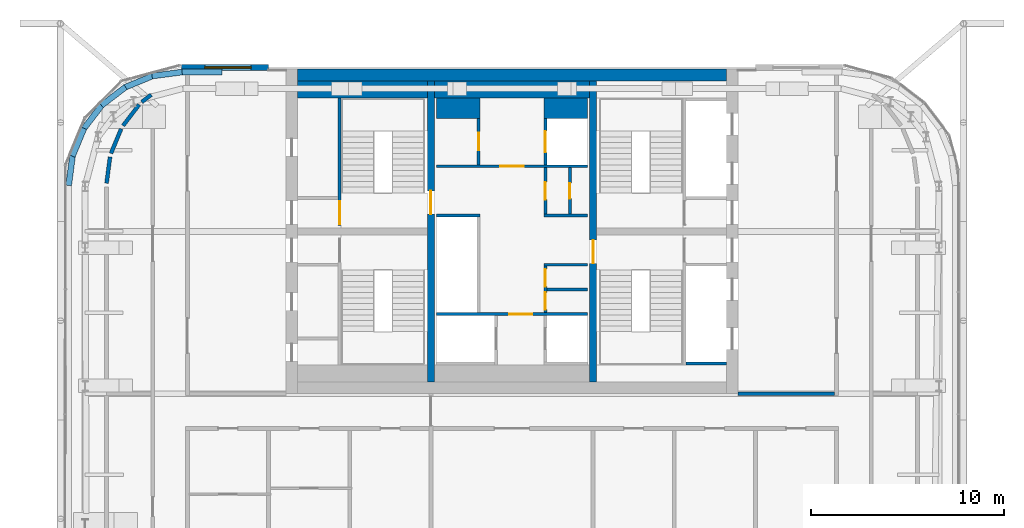
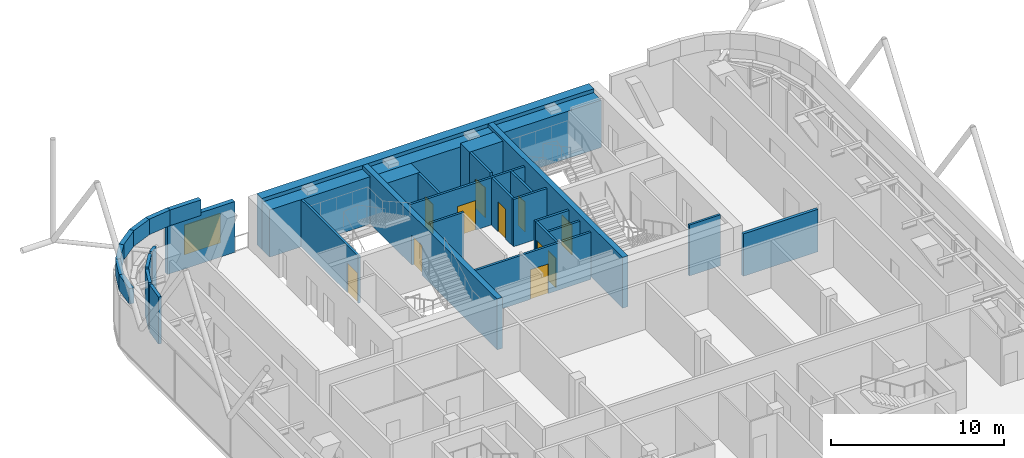
# One storey, part 22 of 25: 32 walls, 11 doors, 1 window, 12 openings.
"""IFC4 building model written with IfcOpenShell, lengths in metres."""

from ifc_helpers import new_model, si_unit, direction, frame, frame_2d, origin, place, context, subcontext, project, spatial, rectangle, extrude, material, layer, layer_set, type_object, element, fill, save


model = new_model("IFC4")

# Units and contexts
model_context = context("Model", 3, precision=1e-05, world=origin(), true_north=direction((0.0, 1.0)))
body_context = subcontext(model_context, "Body", "Model", "MODEL_VIEW")
ifc_project = project(units=[si_unit("LENGTHUNIT", "METRE"), si_unit("AREAUNIT", "SQUARE_METRE"), si_unit("VOLUMEUNIT", "CUBIC_METRE"), si_unit("PLANEANGLEUNIT", "RADIAN"), si_unit("MASSUNIT", "GRAM", prefix="KILO")], contexts=[model_context])

# Site, building, storey
site_placement = place(None, origin())
site = spatial("IfcSite", under=ifc_project, at=site_placement, CompositionType="ELEMENT")
building_placement = place(site_placement, origin())
building = spatial("IfcBuilding", under=site, at=building_placement, Name="Marenta Gate Hotel Tower", CompositionType="ELEMENT")
storey_placement = place(building_placement, frame((0.0, 0.0, 277.699951171875)))
storey = spatial("IfcBuildingStorey", under=building, at=storey_placement, Name="L64", CompositionType="ELEMENT", Elevation=277.699951171875)

# Wall, opening, window
ifc_material_1 = material(Name="Concrete C40 board-marked", Category="concrete")
ifc_layer_1 = layer(ifc_material_1, 0.300048828125)
ifc_layer_set_1 = layer_set([ifc_layer_1], Name="Concrete C40 board-marked")
wall_type_1 = type_object("IfcWallType", Name="Board-marked concrete wall 300 mm", PredefinedType="NOTDEFINED", material=ifc_layer_set_1)
wall_1_placement = place(storey_placement, frame((-12.60009765625, 16.889892578125, 0.0), z_axis=(0.0, 0.0, 1.0), x_axis=(-1.0, 0.0, 0.0)))
wall_1 = element("IfcWall", 1, at=wall_1_placement, inside=storey, type_object=wall_type_1, Name="L64-CLD-N01", PredefinedType="NOTDEFINED", context=body_context, shape_type="SweptSolid", body=[
    extrude(rectangle(XDim=4.505859375, YDim=0.300048828125, at=frame_2d((2.2529296875, 0.0))), origin(), (0.0, 0.0, 1.0), 3.60009765625),
])
opening_1_placement = place(wall_1_placement, frame((0.89990234375, 0.0, 0.89990234375)))
opening_1 = element("IfcOpeningElement", 2, at=opening_1_placement, cuts=wall_1, Name="Opening W1", PredefinedType="OPENING", context=body_context, shape_type="SweptSolid", body=[
    extrude(rectangle(XDim=2.39990234375, YDim=2.10009765625, at=frame_2d((1.199951171875, 1.050048828125))), frame((0.0, 0.14990234375, 0.0), z_axis=(0.0, -1.0, 0.0), x_axis=(1.0, 0.0, 0.0)), (0.0, 0.0, 1.0), 0.300048828125),
])
ifc_material_2 = material(Name="Tinted insulated glass in bronze anodised frame", Category="glass")
window_type = type_object("IfcWindowType", Name="Window W1 2400x2100 bronze frame", PartitioningType="SINGLE_PANEL", PredefinedType="WINDOW", material=ifc_material_2)
window_placement = place(opening_1_placement, origin())
window = element("IfcWindow", 3, at=window_placement, inside=storey, type_object=window_type, Name="Window W1", OverallHeight=2.10009765625, OverallWidth=2.39990234375, PartitioningType="SINGLE_PANEL", PredefinedType="WINDOW", context=body_context, shape_type="SweptSolid", body=[
    extrude(rectangle(XDim=2.39990234375, YDim=2.10009765625, at=frame_2d((1.199951171875, 1.050048828125))), frame((0.0, 0.030029296875, 0.0), z_axis=(0.0, -1.0, 0.0), x_axis=(1.0, 0.0, 0.0)), (0.0, 0.0, 1.0), 0.06005859375),
])
fill(opening_1, window)

# Walls
ifc_material_3 = material(Name="Concrete blockwork", Category="masonry")
ifc_layer_2 = layer(ifc_material_3, 0.199951171875)
ifc_layer_set_2 = layer_set([ifc_layer_2], Name="Concrete blockwork")
wall_type_2 = type_object("IfcWallType", Name="Core boundary wall 200 REI 180", PredefinedType="PARTITIONING", material=ifc_layer_set_2)
wall_2_placement = place(storey_placement, frame((11.699951171875, 0.0, 0.0), z_axis=(0.0, 0.0, 1.0), x_axis=(1.0, 0.0, 0.0)))
element("IfcWall", 4, at=wall_2_placement, inside=storey, type_object=wall_type_2, Name="L64-CP-EW-ES", PredefinedType="PARTITIONING", context=body_context, shape_type="SweptSolid", body=[
    extrude(rectangle(XDim=5.0, YDim=0.199951171875, at=frame_2d((2.5, 0.0))), origin(), (0.0, 0.0, 1.0), 3.0),
])
ifc_material_4 = material(Name="Concrete C40", Category="concrete")
ifc_layer_3 = layer(ifc_material_4, 0.89990234375)
ifc_layer_set_3 = layer_set([ifc_layer_3], Name="Concrete C40")
wall_type_3 = type_object("IfcWallType", Name="Core lining wall 900 REI 180", PredefinedType="PARTITIONING", material=ifc_layer_set_3)
wall_3_placement = place(storey_placement, frame((-11.10009765625, 15.75, 0.0), z_axis=(0.0, 0.0, 1.0), x_axis=(1.0, 0.0, 0.0)))
element("IfcWall", 5, at=wall_3_placement, inside=storey, type_object=wall_type_3, Name="L64-CP-LN-N", PredefinedType="PARTITIONING", context=body_context, shape_type="SweptSolid", body=[
    extrude(rectangle(XDim=22.2001953125, YDim=0.89990234375, at=frame_2d((11.10009765625, 0.0))), origin(), (0.0, 0.0, 1.0), 3.340087890625),
])

# Wall, opening, door
ifc_material_5 = material(Name="Concrete blockwork", Category="masonry")
ifc_layer_4 = layer(ifc_material_5, 0.14990234375)
ifc_layer_set_4 = layer_set([ifc_layer_4], Name="Concrete blockwork")
wall_type_4 = type_object("IfcWallType", Name="Core lobby partition 150 REI 180", PredefinedType="PARTITIONING", material=ifc_layer_set_4)
wall_4_placement = place(storey_placement, frame((-3.89990234375, 4.125, 0.0), z_axis=(0.0, 0.0, 1.0), x_axis=(1.0, 0.0, 0.0)))
wall_4 = element("IfcWall", 6, at=wall_4_placement, inside=storey, type_object=wall_type_4, Name="L64-CP-CW-S", PredefinedType="PARTITIONING", context=body_context, shape_type="SweptSolid", body=[
    extrude(rectangle(XDim=7.7998046875, YDim=0.14990234375, at=frame_2d((3.89990234375, 0.0))), origin(), (0.0, 0.0, 1.0), 3.340087890625),
])
opening_2_placement = place(wall_4_placement, frame((3.75, 0.0, 0.0)))
opening_2 = element("IfcOpeningElement", 7, at=opening_2_placement, cuts=wall_4, Name="Opening FD-FFS", PredefinedType="OPENING", context=body_context, shape_type="SweptSolid", body=[
    extrude(rectangle(XDim=1.199951171875, YDim=2.10009765625, at=frame_2d((0.60009765625, 1.050048828125))), frame((0.0, 0.074951171875, 0.0), z_axis=(0.0, -1.0, 0.0), x_axis=(1.0, 0.0, 0.0)), (0.0, 0.0, 1.0), 0.14990234375),
])
ifc_material_6 = material(Name="Steel", Category="steel")
door_type_1 = type_object("IfcDoorType", Name="Core lobby door 1200x2100 FD60", OperationType="SINGLE_SWING_LEFT", PredefinedType="DOOR", material=ifc_material_6)
door_1_placement = place(opening_2_placement, origin())
door_1 = element("IfcDoor", 8, at=door_1_placement, inside=storey, type_object=door_type_1, Name="FD-FFS", OperationType="SINGLE_SWING_LEFT", OverallHeight=2.10009765625, OverallWidth=1.199951171875, PredefinedType="DOOR", context=body_context, shape_type="SweptSolid", body=[
    extrude(rectangle(XDim=1.199951171875, YDim=2.10009765625, at=frame_2d((0.60009765625, 1.050048828125))), frame((0.0, 0.02490234375, 0.0), z_axis=(0.0, -1.0, 0.0), x_axis=(1.0, 0.0, 0.0)), (0.0, 0.0, 1.0), 0.050048828125),
])
fill(opening_2, door_1)

wall_5_placement = place(storey_placement, frame((-3.89990234375, 11.77490234375, 0.0), z_axis=(0.0, 0.0, 1.0), x_axis=(1.0, 0.0, 0.0)))
wall_5 = element("IfcWall", 9, at=wall_5_placement, inside=storey, type_object=wall_type_4, Name="L64-CP-CW-N", PredefinedType="PARTITIONING", context=body_context, shape_type="SweptSolid", body=[
    extrude(rectangle(XDim=7.7998046875, YDim=0.14990234375, at=frame_2d((3.89990234375, 0.0))), origin(), (0.0, 0.0, 1.0), 3.340087890625),
])
opening_3_placement = place(wall_5_placement, frame((3.300048828125, 0.0, 0.0)))
opening_3 = element("IfcOpeningElement", 10, at=opening_3_placement, cuts=wall_5, Name="Opening FD-FFN", PredefinedType="OPENING", context=body_context, shape_type="SweptSolid", body=[
    extrude(rectangle(XDim=1.199951171875, YDim=2.10009765625, at=frame_2d((0.60009765625, 1.050048828125))), frame((0.0, 0.074951171875, 0.0), z_axis=(0.0, -1.0, 0.0), x_axis=(1.0, 0.0, 0.0)), (0.0, 0.0, 1.0), 0.14990234375),
])
door_2_placement = place(opening_3_placement, origin())
door_2 = element("IfcDoor", 11, at=door_2_placement, inside=storey, type_object=door_type_1, Name="FD-FFN", OperationType="SINGLE_SWING_LEFT", OverallHeight=2.10009765625, OverallWidth=1.199951171875, PredefinedType="DOOR", context=body_context, shape_type="SweptSolid", body=[
    extrude(rectangle(XDim=1.199951171875, YDim=2.10009765625, at=frame_2d((0.60009765625, 1.050048828125))), frame((0.0, 0.02490234375, 0.0), z_axis=(0.0, -1.0, 0.0), x_axis=(1.0, 0.0, 0.0)), (0.0, 0.0, 1.0), 0.050048828125),
])
fill(opening_3, door_2)

# Wall
ifc_material_7 = material(Name="Concrete blockwork", Category="masonry")
ifc_layer_5 = layer(ifc_material_7, 1.050048828125)
ifc_layer_set_5 = layer_set([ifc_layer_5], Name="Concrete blockwork")
wall_type_5 = type_object("IfcWallType", Name="Core room partition 1050 REI 180", PredefinedType="PARTITIONING", material=ifc_layer_set_5)
wall_6_placement = place(storey_placement, frame((-3.89990234375, 14.77490234375, 0.0), z_axis=(0.0, 0.0, 1.0), x_axis=(1.0, 0.0, 0.0)))
element("IfcWall", 12, at=wall_6_placement, inside=storey, type_object=wall_type_5, Name="L64-CP-CW-W-riser-N", PredefinedType="PARTITIONING", context=body_context, shape_type="SweptSolid", body=[
    extrude(rectangle(XDim=2.25, YDim=1.050048828125, at=frame_2d((1.125, 0.0))), origin(), (0.0, 0.0, 1.0), 3.340087890625),
])

# Wall, opening, door
ifc_material_8 = material(Name="Concrete blockwork", Category="masonry")
ifc_layer_6 = layer(ifc_material_8, 0.14990234375)
ifc_layer_set_6 = layer_set([ifc_layer_6], Name="Concrete blockwork")
wall_type_6 = type_object("IfcWallType", Name="Core room partition 150 REI 180", PredefinedType="PARTITIONING", material=ifc_layer_set_6)
wall_7_placement = place(storey_placement, frame((-1.72509765625, 11.85009765625, 0.0), z_axis=(0.0, 0.0, 1.0), x_axis=(0.0, 1.0, 0.0)))
wall_7 = element("IfcWall", 13, at=wall_7_placement, inside=storey, type_object=wall_type_6, Name="L64-CP-CW-W-riser-front", PredefinedType="PARTITIONING", context=body_context, shape_type="SweptSolid", body=[
    extrude(rectangle(XDim=2.39990234375, YDim=0.14990234375, at=frame_2d((1.199951171875, 0.0))), origin(), (0.0, 0.0, 1.0), 3.340087890625),
])
opening_4_placement = place(wall_7_placement, frame((0.75, 0.0, 0.0)))
opening_4 = element("IfcOpeningElement", 14, at=opening_4_placement, cuts=wall_7, Name="Opening RD-CRISER", PredefinedType="OPENING", context=body_context, shape_type="SweptSolid", body=[
    extrude(rectangle(XDim=0.89990234375, YDim=2.10009765625, at=frame_2d((0.449951171875, 1.050048828125))), frame((0.0, 0.074951171875, 0.0), z_axis=(0.0, -1.0, 0.0), x_axis=(1.0, 0.0, 0.0)), (0.0, 0.0, 1.0), 0.14990234375),
])
ifc_material_9 = material(Name="Steel", Category="steel")
door_type_2 = type_object("IfcDoorType", Name="Core riser door 900x2100 FD60", OperationType="SINGLE_SWING_LEFT", PredefinedType="DOOR", material=ifc_material_9)
door_3_placement = place(opening_4_placement, origin())
door_3 = element("IfcDoor", 15, at=door_3_placement, inside=storey, type_object=door_type_2, Name="RD-CRISER", OperationType="SINGLE_SWING_LEFT", OverallHeight=2.10009765625, OverallWidth=0.89990234375, PredefinedType="DOOR", context=body_context, shape_type="SweptSolid", body=[
    extrude(rectangle(XDim=0.89990234375, YDim=2.10009765625, at=frame_2d((0.449951171875, 1.050048828125))), frame((0.0, 0.02490234375, 0.0), z_axis=(0.0, -1.0, 0.0), x_axis=(1.0, 0.0, 0.0)), (0.0, 0.0, 1.0), 0.050048828125),
])
fill(opening_4, door_3)

# Walls
for number, where, z_axis, x_axis, name in (
    (16, (1.64990234375, 6.675048828125, 0.0), (0.0, 0.0, 1.0), (1.0, 0.0, 0.0), "L64-CP-CE-sep1"),
    (17, (1.64990234375, 9.22509765625, 0.0), (0.0, 0.0, 1.0), (1.0, 0.0, 0.0), "L64-CP-CE-sep2"),
):
    element("IfcWall", number, at=place(storey_placement, frame(where, z_axis=z_axis, x_axis=x_axis)), inside=storey, type_object=wall_type_6, Name=name, PredefinedType="PARTITIONING", context=body_context, shape_type="SweptSolid", body=[
        extrude(rectangle(XDim=2.25, YDim=0.14990234375, at=frame_2d((1.125, 0.0))), origin(), (0.0, 0.0, 1.0), 3.340087890625),
    ])

# Wall, openings, doors
wall_8_placement = place(storey_placement, frame((1.72509765625, 4.199951171875, 0.0), z_axis=(0.0, 0.0, 1.0), x_axis=(0.0, 1.0, 0.0)))
wall_8 = element("IfcWall", 18, at=wall_8_placement, inside=storey, type_object=wall_type_6, Name="L64-CP-CE-front-1", PredefinedType="PARTITIONING", context=body_context, shape_type="SweptSolid", body=[
    extrude(rectangle(XDim=2.400146484375, YDim=0.14990234375, at=frame_2d((1.2001953125, 0.0))), origin(), (0.0, 0.0, 1.0), 3.340087890625),
])
opening_5_placement = place(wall_8_placement, frame((0.14990234375, 0.0, 0.0)))
opening_5 = element("IfcOpeningElement", 19, at=opening_5_placement, cuts=wall_8, Name="Opening RD-CE-1a", PredefinedType="OPENING", context=body_context, shape_type="SweptSolid", body=[
    extrude(rectangle(XDim=0.89990234375, YDim=2.10009765625, at=frame_2d((0.449951171875, 1.050048828125))), frame((0.0, 0.074951171875, 0.0), z_axis=(0.0, -1.0, 0.0), x_axis=(1.0, 0.0, 0.0)), (0.0, 0.0, 1.0), 0.14990234375),
])
opening_6_placement = place(wall_8_placement, frame((1.35009765625, 0.0, 0.0)))
opening_6 = element("IfcOpeningElement", 20, at=opening_6_placement, cuts=wall_8, Name="Opening RD-CE-1b-B", PredefinedType="OPENING", context=body_context, shape_type="SweptSolid", body=[
    extrude(rectangle(XDim=0.89990234375, YDim=2.10009765625, at=frame_2d((0.449951171875, 1.050048828125))), frame((0.0, 0.074951171875, 0.0), z_axis=(0.0, -1.0, 0.0), x_axis=(1.0, 0.0, 0.0)), (0.0, 0.0, 1.0), 0.14990234375),
])
ifc_material_10 = material(Name="Steel", Category="steel")
door_type_3 = type_object("IfcDoorType", Name="Core service room door 900x2100 FD30S", OperationType="SINGLE_SWING_LEFT", PredefinedType="DOOR", material=ifc_material_10)
door_4_placement = place(opening_5_placement, origin())
door_4 = element("IfcDoor", 21, at=door_4_placement, inside=storey, type_object=door_type_3, Name="RD-CE-1a", OperationType="SINGLE_SWING_LEFT", OverallHeight=2.10009765625, OverallWidth=0.89990234375, PredefinedType="DOOR", context=body_context, shape_type="SweptSolid", body=[
    extrude(rectangle(XDim=0.89990234375, YDim=2.10009765625, at=frame_2d((0.449951171875, 1.050048828125))), frame((0.0, 0.02490234375, 0.0), z_axis=(0.0, -1.0, 0.0), x_axis=(1.0, 0.0, 0.0)), (0.0, 0.0, 1.0), 0.050048828125),
])
fill(opening_5, door_4)
door_5_placement = place(opening_6_placement, origin())
door_5 = element("IfcDoor", 22, at=door_5_placement, inside=storey, type_object=door_type_3, Name="RD-CE-1b-B", OperationType="SINGLE_SWING_LEFT", OverallHeight=2.10009765625, OverallWidth=0.89990234375, PredefinedType="DOOR", context=body_context, shape_type="SweptSolid", body=[
    extrude(rectangle(XDim=0.89990234375, YDim=2.10009765625, at=frame_2d((0.449951171875, 1.050048828125))), frame((0.0, 0.02490234375, 0.0), z_axis=(0.0, -1.0, 0.0), x_axis=(1.0, 0.0, 0.0)), (0.0, 0.0, 1.0), 0.050048828125),
])
fill(opening_6, door_5)

# Wall, opening, door
wall_9_placement = place(storey_placement, frame((1.72509765625, 9.300048828125, 0.0), z_axis=(0.0, 0.0, 1.0), x_axis=(0.0, 1.0, 0.0)))
wall_9 = element("IfcWall", 23, at=wall_9_placement, inside=storey, type_object=wall_type_6, Name="L64-CP-CE-front-2", PredefinedType="PARTITIONING", context=body_context, shape_type="SweptSolid", body=[
    extrude(rectangle(XDim=2.39990234375, YDim=0.14990234375, at=frame_2d((1.199951171875, 0.0))), origin(), (0.0, 0.0, 1.0), 3.340087890625),
])
opening_7_placement = place(wall_9_placement, frame((0.75, 0.0, 0.0)))
opening_7 = element("IfcOpeningElement", 24, at=opening_7_placement, cuts=wall_9, Name="Opening RD-CE-2a", PredefinedType="OPENING", context=body_context, shape_type="SweptSolid", body=[
    extrude(rectangle(XDim=0.89990234375, YDim=2.10009765625, at=frame_2d((0.449951171875, 1.050048828125))), frame((0.0, 0.074951171875, 0.0), z_axis=(0.0, -1.0, 0.0), x_axis=(1.0, 0.0, 0.0)), (0.0, 0.0, 1.0), 0.14990234375),
])
door_6_placement = place(opening_7_placement, origin())
door_6 = element("IfcDoor", 25, at=door_6_placement, inside=storey, type_object=door_type_3, Name="RD-CE-2a", OperationType="SINGLE_SWING_LEFT", OverallHeight=2.10009765625, OverallWidth=0.89990234375, PredefinedType="DOOR", context=body_context, shape_type="SweptSolid", body=[
    extrude(rectangle(XDim=0.89990234375, YDim=2.10009765625, at=frame_2d((0.449951171875, 1.050048828125))), frame((0.0, 0.02490234375, 0.0), z_axis=(0.0, -1.0, 0.0), x_axis=(1.0, 0.0, 0.0)), (0.0, 0.0, 1.0), 0.050048828125),
])
fill(opening_7, door_6)

# Wall
wall_10_placement = place(storey_placement, frame((1.800048828125, 5.39990234375, 0.0), z_axis=(0.0, 0.0, 1.0), x_axis=(1.0, 0.0, 0.0)))
element("IfcWall", 26, at=wall_10_placement, inside=storey, type_object=wall_type_6, Name="L64-CP-CE-RW-1", PredefinedType="PARTITIONING", context=body_context, shape_type="SweptSolid", body=[
    extrude(rectangle(XDim=2.099853515625, YDim=0.14990234375, at=frame_2d((1.0498046875, 0.0))), origin(), (0.0, 0.0, 1.0), 3.340087890625),
])

# Wall, opening, door
wall_11_placement = place(storey_placement, frame((3.0, 9.300048828125, 0.0), z_axis=(0.0, 0.0, 1.0), x_axis=(0.0, 1.0, 0.0)))
wall_11 = element("IfcWall", 27, at=wall_11_placement, inside=storey, type_object=wall_type_6, Name="L64-CP-CE-RW-2", PredefinedType="PARTITIONING", context=body_context, shape_type="SweptSolid", body=[
    extrude(rectangle(XDim=2.39990234375, YDim=0.14990234375, at=frame_2d((1.199951171875, 0.0))), origin(), (0.0, 0.0, 1.0), 3.340087890625),
])
opening_8_placement = place(wall_11_placement, frame((0.800048828125, 0.0, 0.0)))
opening_8 = element("IfcOpeningElement", 28, at=opening_8_placement, cuts=wall_11, Name="Opening RD-CE-2b-A", PredefinedType="OPENING", context=body_context, shape_type="SweptSolid", body=[
    extrude(rectangle(XDim=0.800048828125, YDim=2.10009765625, at=frame_2d((0.39990234375, 1.050048828125))), frame((0.0, 0.074951171875, 0.0), z_axis=(0.0, -1.0, 0.0), x_axis=(1.0, 0.0, 0.0)), (0.0, 0.0, 1.0), 0.14990234375),
])
ifc_material_11 = material(Name="Steel", Category="steel")
door_type_4 = type_object("IfcDoorType", Name="Core riser door 800x2100 FD60", OperationType="SINGLE_SWING_LEFT", PredefinedType="DOOR", material=ifc_material_11)
door_7_placement = place(opening_8_placement, origin())
door_7 = element("IfcDoor", 29, at=door_7_placement, inside=storey, type_object=door_type_4, Name="RD-CE-2b-A", OperationType="SINGLE_SWING_LEFT", OverallHeight=2.10009765625, OverallWidth=0.800048828125, PredefinedType="DOOR", context=body_context, shape_type="SweptSolid", body=[
    extrude(rectangle(XDim=0.800048828125, YDim=2.10009765625, at=frame_2d((0.39990234375, 1.050048828125))), frame((0.0, 0.02490234375, 0.0), z_axis=(0.0, -1.0, 0.0), x_axis=(1.0, 0.0, 0.0)), (0.0, 0.0, 1.0), 0.050048828125),
])
fill(opening_8, door_7)

# Walls
ifc_material_12 = material(Name="Concrete C40", Category="concrete")
ifc_layer_7 = layer(ifc_material_12, 1.050048828125)
ifc_layer_set_7 = layer_set([ifc_layer_7], Name="Concrete C40")
wall_type_7 = type_object("IfcWallType", Name="Core shaft wall 1050 REI 180", PredefinedType="SHEAR", material=ifc_layer_set_7)
wall_12_placement = place(storey_placement, frame((1.64990234375, 14.77490234375, 0.0), z_axis=(0.0, 0.0, 1.0), x_axis=(1.0, 0.0, 0.0)))
element("IfcWall", 30, at=wall_12_placement, inside=storey, type_object=wall_type_7, Name="L64-SHF-CE-N-top", PredefinedType="SHEAR", context=body_context, shape_type="SweptSolid", body=[
    extrude(rectangle(XDim=2.25, YDim=1.050048828125, at=frame_2d((1.125, 0.0))), origin(), (0.0, 0.0, 1.0), 3.60009765625),
])
ifc_material_13 = material(Name="Concrete C40", Category="concrete")
ifc_layer_8 = layer(ifc_material_13, 0.14990234375)
ifc_layer_set_8 = layer_set([ifc_layer_8], Name="Concrete C40")
wall_type_8 = type_object("IfcWallType", Name="Core shaft wall 150 REI 180", PredefinedType="SHEAR", material=ifc_layer_set_8)
wall_13_placement = place(storey_placement, frame((9.0, 1.574951171875, 0.0), z_axis=(0.0, 0.0, 1.0), x_axis=(1.0, 0.0, 0.0)))
element("IfcWall", 31, at=wall_13_placement, inside=storey, type_object=wall_type_8, Name="L64-SHF-SW-ES-5", PredefinedType="SHEAR", context=body_context, shape_type="SweptSolid", body=[
    extrude(rectangle(XDim=2.10009765625, YDim=0.14990234375, at=frame_2d((1.050048828125, 0.0))), origin(), (0.0, 0.0, 1.0), 3.60009765625),
])
wall_14_placement = place(storey_placement, frame((-3.89990234375, 9.22509765625, 0.0), z_axis=(0.0, 0.0, 1.0), x_axis=(1.0, 0.0, 0.0)))
element("IfcWall", 32, at=wall_14_placement, inside=storey, type_object=wall_type_8, Name="L64-SHF-CW-W-sep", PredefinedType="SHEAR", context=body_context, shape_type="SweptSolid", body=[
    extrude(rectangle(XDim=2.25, YDim=0.14990234375, at=frame_2d((1.125, 0.0))), origin(), (0.0, 0.0, 1.0), 3.60009765625),
])

# Wall, opening, door
wall_15_placement = place(storey_placement, frame((1.72509765625, 11.85009765625, 0.0), z_axis=(0.0, 0.0, 1.0), x_axis=(0.0, 1.0, 0.0)))
wall_15 = element("IfcWall", 33, at=wall_15_placement, inside=storey, type_object=wall_type_8, Name="L64-SHF-CE-N-front2", PredefinedType="SHEAR", context=body_context, shape_type="SweptSolid", body=[
    extrude(rectangle(XDim=2.39990234375, YDim=0.14990234375, at=frame_2d((1.199951171875, 0.0))), origin(), (0.0, 0.0, 1.0), 3.60009765625),
])
opening_9_placement = place(wall_15_placement, frame((0.64990234375, 0.0, 0.0)))
opening_9 = element("IfcOpeningElement", 34, at=opening_9_placement, cuts=wall_15, Name="Opening LD-FF2", PredefinedType="OPENING", context=body_context, shape_type="SweptSolid", body=[
    extrude(rectangle(XDim=1.10009765625, YDim=2.10009765625, at=frame_2d((0.550048828125, 1.050048828125))), frame((0.0, 0.074951171875, 0.0), z_axis=(0.0, -1.0, 0.0), x_axis=(1.0, 0.0, 0.0)), (0.0, 0.0, 1.0), 0.14990234375),
])
ifc_material_14 = material(Name="Steel", Category="steel")
door_type_5 = type_object("IfcDoorType", Name="Core lift landing door 1100x2100 E 60", OperationType="SLIDING_TO_LEFT", PredefinedType="DOOR", material=ifc_material_14)
door_8_placement = place(opening_9_placement, origin())
door_8 = element("IfcDoor", 35, at=door_8_placement, inside=storey, type_object=door_type_5, Name="LD-FF2", OperationType="SLIDING_TO_LEFT", OverallHeight=2.10009765625, OverallWidth=1.10009765625, PredefinedType="DOOR", context=body_context, shape_type="SweptSolid", body=[
    extrude(rectangle(XDim=1.10009765625, YDim=2.10009765625, at=frame_2d((0.550048828125, 1.050048828125))), frame((0.0, 0.02490234375, 0.0), z_axis=(0.0, -1.0, 0.0), x_axis=(1.0, 0.0, 0.0)), (0.0, 0.0, 1.0), 0.050048828125),
])
fill(opening_9, door_8)

ifc_material_15 = material(Name="Concrete C40", Category="concrete")
ifc_layer_9 = layer(ifc_material_15, 0.14990234375)
ifc_layer_set_9 = layer_set([ifc_layer_9], Name="Concrete C40")
wall_type_9 = type_object("IfcWallType", Name="Core stair enclosure wall 150 REI 180", PredefinedType="SHEAR", material=ifc_layer_set_9)
wall_16_placement = place(storey_placement, frame((-8.925048828125, 8.699951171875, 0.0), z_axis=(0.0, 0.0, 1.0), x_axis=(0.0, 1.0, 0.0)))
wall_16 = element("IfcWall", 36, at=wall_16_placement, inside=storey, type_object=wall_type_9, Name="L64-SHF-SW-WN-3", PredefinedType="SHEAR", context=body_context, shape_type="SweptSolid", body=[
    extrude(rectangle(XDim=6.60009765625, YDim=0.14990234375, at=frame_2d((3.300048828125, 0.0))), origin(), (0.0, 0.0, 1.0), 3.340087890625),
])
opening_10_placement = place(wall_16_placement, frame((0.074951171875, 0.0, 0.0)))
opening_10 = element("IfcOpeningElement", 37, at=opening_10_placement, cuts=wall_16, Name="Opening SD-WN", PredefinedType="OPENING", context=body_context, shape_type="SweptSolid", body=[
    extrude(rectangle(XDim=1.199951171875, YDim=2.10009765625, at=frame_2d((0.60009765625, 1.050048828125))), frame((0.0, 0.074951171875, 0.0), z_axis=(0.0, -1.0, 0.0), x_axis=(1.0, 0.0, 0.0)), (0.0, 0.0, 1.0), 0.14990234375),
])
ifc_material_16 = material(Name="Steel", Category="steel")
door_type_6 = type_object("IfcDoorType", Name="Core stair door 1200x2100 FD60", OperationType="SINGLE_SWING_LEFT", PredefinedType="DOOR", material=ifc_material_16)
door_9_placement = place(opening_10_placement, origin())
door_9 = element("IfcDoor", 38, at=door_9_placement, inside=storey, type_object=door_type_6, Name="SD-WN", OperationType="SINGLE_SWING_LEFT", OverallHeight=2.10009765625, OverallWidth=1.199951171875, PredefinedType="DOOR", context=body_context, shape_type="SweptSolid", body=[
    extrude(rectangle(XDim=1.199951171875, YDim=2.10009765625, at=frame_2d((0.60009765625, 1.050048828125))), frame((0.0, 0.02490234375, 0.0), z_axis=(0.0, -1.0, 0.0), x_axis=(1.0, 0.0, 0.0)), (0.0, 0.0, 1.0), 0.050048828125),
])
fill(opening_10, door_9)

# Wall
ifc_material_17 = material(Name="Concrete C50", Category="concrete")
ifc_layer_10 = layer(ifc_material_17, 0.60009765625)
ifc_layer_set_10 = layer_set([ifc_layer_10], Name="Concrete C50")
wall_type_10 = type_object("IfcWallType", Name="Core wall 600 C50", PredefinedType="SHEAR", material=ifc_layer_set_10)
wall_17_placement = place(storey_placement, frame((-11.10009765625, 16.5, 0.0), z_axis=(0.0, 0.0, 1.0), x_axis=(1.0, 0.0, 0.0)))
element("IfcWall", 39, at=wall_17_placement, inside=storey, type_object=wall_type_10, Name="L64-CORE-N", PredefinedType="SHEAR", context=body_context, shape_type="SweptSolid", body=[
    extrude(rectangle(XDim=22.2001953125, YDim=0.60009765625, at=frame_2d((11.10009765625, 0.0))), origin(), (0.0, 0.0, 1.0), 3.60009765625),
])

# Wall, opening, door
ifc_material_18 = material(Name="Concrete C50", Category="concrete")
ifc_layer_11 = layer(ifc_material_18, 0.35009765625)
ifc_layer_set_11 = layer_set([ifc_layer_11], Name="Concrete C50")
wall_type_11 = type_object("IfcWallType", Name="Core web 350 C50", PredefinedType="SHEAR", material=ifc_layer_set_11)
wall_18_placement = place(storey_placement, frame((-4.199951171875, 0.60009765625, 0.0), z_axis=(0.0, 0.0, 1.0), x_axis=(0.0, 1.0, 0.0)))
wall_18 = element("IfcWall", 40, at=wall_18_placement, inside=storey, type_object=wall_type_11, Name="L64-CORE-W1", PredefinedType="SHEAR", context=body_context, shape_type="SweptSolid", body=[
    extrude(rectangle(XDim=15.599853515625, YDim=0.35009765625, at=frame_2d((7.7998046875, 0.0))), origin(), (0.0, 0.0, 1.0), 3.60009765625),
])
opening_11_placement = place(wall_18_placement, frame((8.699951171875, 0.0, 0.0)))
opening_11 = element("IfcOpeningElement", 41, at=opening_11_placement, cuts=wall_18, Name="Opening WD-W", PredefinedType="OPENING", context=body_context, shape_type="SweptSolid", body=[
    extrude(rectangle(XDim=1.199951171875, YDim=2.10009765625, at=frame_2d((0.60009765625, 1.050048828125))), frame((0.0, 0.175048828125, 0.0), z_axis=(0.0, -1.0, 0.0), x_axis=(1.0, 0.0, 0.0)), (0.0, 0.0, 1.0), 0.35009765625),
])
door_10_placement = place(opening_11_placement, origin())
door_10 = element("IfcDoor", 42, at=door_10_placement, inside=storey, type_object=door_type_6, Name="WD-W", OperationType="SINGLE_SWING_LEFT", OverallHeight=2.10009765625, OverallWidth=1.199951171875, PredefinedType="DOOR", context=body_context, shape_type="SweptSolid", body=[
    extrude(rectangle(XDim=1.199951171875, YDim=2.10009765625, at=frame_2d((0.60009765625, 1.050048828125))), frame((0.0, 0.02490234375, 0.0), z_axis=(0.0, -1.0, 0.0), x_axis=(1.0, 0.0, 0.0)), (0.0, 0.0, 1.0), 0.050048828125),
])
fill(opening_11, door_10)

wall_19_placement = place(storey_placement, frame((4.199951171875, 0.60009765625, 0.0), z_axis=(0.0, 0.0, 1.0), x_axis=(0.0, 1.0, 0.0)))
wall_19 = element("IfcWall", 43, at=wall_19_placement, inside=storey, type_object=wall_type_11, Name="L64-CORE-W2", PredefinedType="SHEAR", context=body_context, shape_type="SweptSolid", body=[
    extrude(rectangle(XDim=15.599853515625, YDim=0.35009765625, at=frame_2d((7.7998046875, 0.0))), origin(), (0.0, 0.0, 1.0), 3.60009765625),
])
opening_12_placement = place(wall_19_placement, frame((6.14990234375, 0.0, 0.0)))
opening_12 = element("IfcOpeningElement", 44, at=opening_12_placement, cuts=wall_19, Name="Opening WD-E", PredefinedType="OPENING", context=body_context, shape_type="SweptSolid", body=[
    extrude(rectangle(XDim=1.199951171875, YDim=2.10009765625, at=frame_2d((0.60009765625, 1.050048828125))), frame((0.0, 0.175048828125, 0.0), z_axis=(0.0, -1.0, 0.0), x_axis=(1.0, 0.0, 0.0)), (0.0, 0.0, 1.0), 0.35009765625),
])
door_11_placement = place(opening_12_placement, origin())
door_11 = element("IfcDoor", 45, at=door_11_placement, inside=storey, type_object=door_type_6, Name="WD-E", OperationType="SINGLE_SWING_LEFT", OverallHeight=2.10009765625, OverallWidth=1.199951171875, PredefinedType="DOOR", context=body_context, shape_type="SweptSolid", body=[
    extrude(rectangle(XDim=1.199951171875, YDim=2.10009765625, at=frame_2d((0.60009765625, 1.050048828125))), frame((0.0, 0.02490234375, 0.0), z_axis=(0.0, -1.0, 0.0), x_axis=(1.0, 0.0, 0.0)), (0.0, 0.0, 1.0), 0.050048828125),
])
fill(opening_12, door_11)

# Walls
ifc_material_19 = material(Name="Concrete C40 board-marked", Category="concrete")
ifc_layer_12 = layer(ifc_material_19, 0.300048828125)
ifc_layer_set_12 = layer_set([ifc_layer_12], Name="Concrete C40 board-marked")
wall_type_12 = type_object("IfcWallType", Name="Parapet 300 mm board-marked concrete", PredefinedType="PARAPET", material=ifc_layer_set_12)
wall_20_placement = place(storey_placement, frame((-22.951416015625, 10.780517578125, 3.60009765625), z_axis=(0.0, 0.0, 1.0), x_axis=(0.130631937531, 0.991430934002, 0.0)))
element("IfcWall", 46, at=wall_20_placement, inside=storey, type_object=wall_type_12, Name="L64-PAR-00100", PredefinedType="PARAPET", context=body_context, shape_type="SweptSolid", body=[
    extrude(rectangle(XDim=1.566162109375, YDim=0.300048828125, at=frame_2d((0.783203125, 0.0))), origin(), (0.0, 0.0, 1.0), 1.099853515625),
])
for number, where, z_axis, x_axis, name in (
    (47, (-22.757080078125, 12.29541015625, 3.60009765625), (0.0, 0.0, 1.0), (0.382622504077, 0.923904767481, 0.0), "L64-PAR-00110"),
    (48, (-22.17724609375, 13.708740234375, 3.60009765625), (0.0, 0.0, 1.0), (0.608791411033, 0.793330333374, 0.0), "L64-PAR-00120"),
):
    element("IfcWall", number, at=place(storey_placement, frame(where, z_axis=z_axis, x_axis=x_axis)), inside=storey, type_object=wall_type_12, Name=name, PredefinedType="PARAPET", context=body_context, shape_type="SweptSolid", body=[
        extrude(rectangle(XDim=1.56640625, YDim=0.300048828125, at=frame_2d((0.783203125, 0.0))), origin(), (0.0, 0.0, 1.0), 1.099853515625),
    ])
for number, where, z_axis, x_axis, name in (
    (49, (-21.251220703125, 14.923583984375, 3.60009765625), (0.0, 0.0, 1.0), (0.793272556524, 0.608866694003, 0.0), "L64-PAR-00130"),
    (50, (-20.04248046875, 15.857666015625, 3.60009765625), (0.0, 0.0, 1.0), (0.923881945474, 0.382677606907, 0.0), "L64-PAR-00140"),
):
    element("IfcWall", number, at=place(storey_placement, frame(where, z_axis=z_axis, x_axis=x_axis)), inside=storey, type_object=wall_type_12, Name=name, PredefinedType="PARAPET", context=body_context, shape_type="SweptSolid", body=[
        extrude(rectangle(XDim=1.566162109375, YDim=0.300048828125, at=frame_2d((0.783203125, 0.0))), origin(), (0.0, 0.0, 1.0), 1.099853515625),
    ])
wall_21_placement = place(storey_placement, frame((-18.63330078125, 16.447021484375, 3.60009765625), z_axis=(0.0, 0.0, 1.0), x_axis=(0.991453765022, 0.130458544462, 0.0)))
element("IfcWall", 51, at=wall_21_placement, inside=storey, type_object=wall_type_12, Name="L64-PAR-00150", PredefinedType="PARAPET", context=body_context, shape_type="SweptSolid", body=[
    extrude(rectangle(XDim=1.56640625, YDim=0.300048828125, at=frame_2d((0.783203125, 0.0))), origin(), (0.0, 0.0, 1.0), 1.099853515625),
])
wall_22_placement = place(storey_placement, frame((-17.10009765625, 16.64990234375, 3.60009765625), z_axis=(0.0, 0.0, 1.0), x_axis=(1.0, 0.0, 0.0)))
element("IfcWall", 52, at=wall_22_placement, inside=storey, type_object=wall_type_12, Name="L64-PAR-00160", PredefinedType="PARAPET", context=body_context, shape_type="SweptSolid", body=[
    extrude(rectangle(XDim=2.10009765625, YDim=0.300048828125, at=frame_2d((1.050048828125, 0.0))), origin(), (0.0, 0.0, 1.0), 1.099853515625),
])
ifc_material_20 = material(Name="Gypsum board on steel stud", Category="steel")
ifc_layer_13 = layer(ifc_material_20, 0.199951171875)
ifc_layer_set_13 = layer_set([ifc_layer_13], Name="Gypsum board on steel stud")
wall_type_13 = type_object("IfcWallType", Name="Room corridor wall 200 EI 60", PredefinedType="PARTITIONING", material=ifc_layer_set_13)
wall_23_placement = place(storey_placement, frame((-19.166015625, 15.10302734375, 0.0), z_axis=(0.0, 0.0, 1.0), x_axis=(0.794663000987, 0.607050833837, 0.0)))
element("IfcWall", 53, at=wall_23_placement, inside=storey, type_object=wall_type_13, Name="L64-PTN-W059", PredefinedType="PARTITIONING", context=body_context, shape_type="SweptSolid", body=[
    extrude(rectangle(XDim=0.61279296875, YDim=0.199951171875, at=frame_2d((0.306396484375, 0.0))), origin(), (0.0, 0.0, 1.0), 3.340087890625),
])
ifc_material_21 = material(Name="Gypsum board on steel stud", Category="steel")
ifc_layer_14 = layer(ifc_material_21, 0.199951171875)
ifc_layer_set_14 = layer_set([ifc_layer_14], Name="Gypsum board on steel stud")
wall_type_14 = type_object("IfcWallType", Name="Room party wall 200 EI 60", PredefinedType="PARTITIONING", material=ifc_layer_set_14)
wall_24_placement = place(storey_placement, frame((-20.987060546875, 10.89697265625, 0.0), z_axis=(0.0, 0.0, 1.0), x_axis=(0.129841713905, 0.991534734303, 0.0)))
element("IfcWall", 54, at=wall_24_placement, inside=storey, type_object=wall_type_14, Name="L64-PTN-W058", PredefinedType="PARTITIONING", context=body_context, shape_type="SweptSolid", body=[
    extrude(rectangle(XDim=1.370849609375, YDim=0.199951171875, at=frame_2d((0.685546875, 0.0))), origin(), (0.0, 0.0, 1.0), 3.340087890625),
])
wall_25_placement = place(storey_placement, frame((-20.759033203125, 12.443115234375, 0.0), z_axis=(0.0, 0.0, 1.0), x_axis=(0.383540942064, 0.923523873953, 0.0)))
element("IfcWall", 55, at=wall_25_placement, inside=storey, type_object=wall_type_14, Name="L64-PTN-W062", PredefinedType="PARTITIONING", context=body_context, shape_type="SweptSolid", body=[
    extrude(rectangle(XDim=1.371826171875, YDim=0.199951171875, at=frame_2d((0.68603515625, 0.0))), origin(), (0.0, 0.0, 1.0), 3.340087890625),
])
wall_26_placement = place(storey_placement, frame((-20.135986328125, 13.876953125, 0.0), z_axis=(0.0, 0.0, 1.0), x_axis=(0.607522804237, 0.794302236137, 0.0)))
element("IfcWall", 56, at=wall_26_placement, inside=storey, type_object=wall_type_14, Name="L64-PTN-W063", PredefinedType="PARTITIONING", context=body_context, shape_type="SweptSolid", body=[
    extrude(rectangle(XDim=1.37109375, YDim=0.199951171875, at=frame_2d((0.685546875, 0.0))), origin(), (0.0, 0.0, 1.0), 3.340087890625),
])

save(model, "model.ifc")
